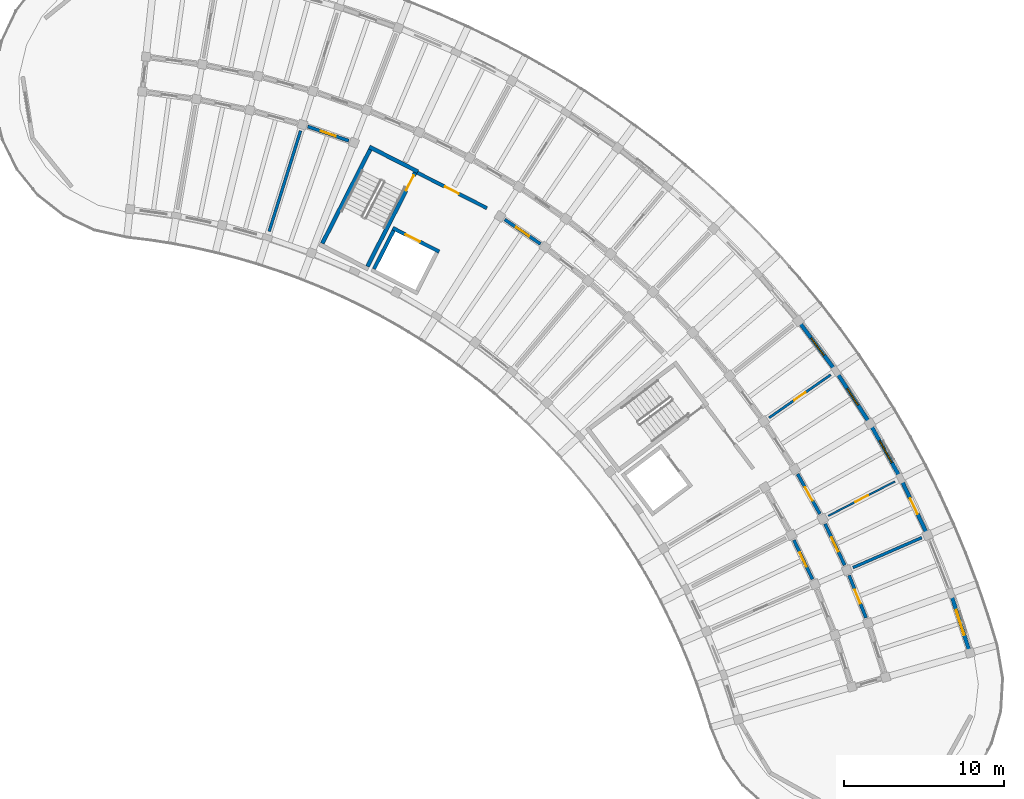
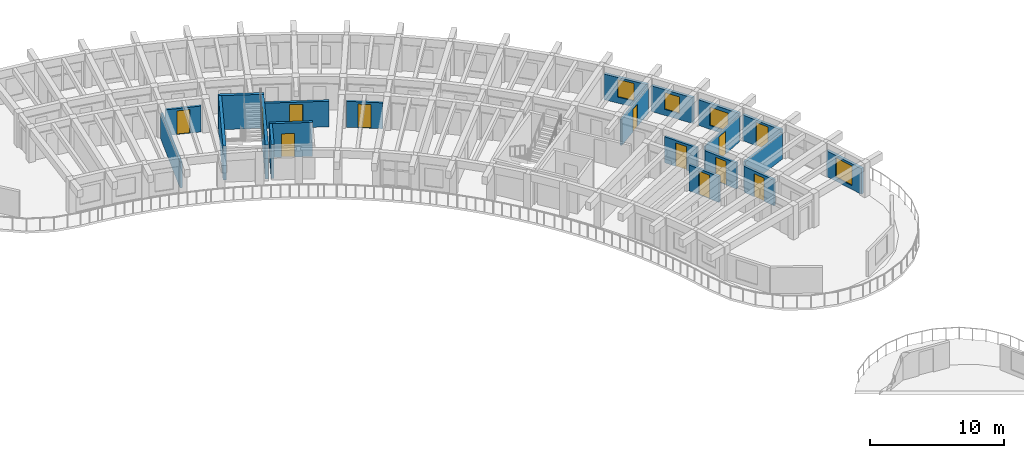
# One storey, part 57 of 81: 21 walls, 12 doors, 4 windows, 16 openings.
"""IFC4 building model written with IfcOpenShell, lengths in metres."""

from ifc_helpers import new_model, si_unit, direction, frame, frame_2d, origin, place, context, subcontext, project, spatial, rectangle, extrude, material, layer, layer_set, type_object, element, fill, save


model = new_model("IFC4")

# Units and contexts
model_context = context("Model", 3, precision=1e-05, world=origin(), true_north=direction((0.0, 1.0)))
body_context = subcontext(model_context, "Body", "Model", "MODEL_VIEW")
ifc_project = project(units=[si_unit("LENGTHUNIT", "METRE"), si_unit("AREAUNIT", "SQUARE_METRE"), si_unit("VOLUMEUNIT", "CUBIC_METRE"), si_unit("PLANEANGLEUNIT", "RADIAN"), si_unit("MASSUNIT", "GRAM", prefix="KILO")], contexts=[model_context])

# Site, building, storey
site_placement = place(None, origin())
site = spatial("IfcSite", under=ifc_project, at=site_placement, CompositionType="ELEMENT")
building_placement = place(site_placement, origin())
building = spatial("IfcBuilding", under=site, at=building_placement, Name="Tanwirah Colonnade Gardens", CompositionType="ELEMENT")
storey_placement = place(building_placement, frame((0.0, 0.0, 18.919921875)))
storey = spatial("IfcBuildingStorey", under=building, at=storey_placement, Name="L05", CompositionType="ELEMENT", Elevation=18.919921875)

# Wall, opening, window
ifc_material_1 = material(Name="Limestone architectural precast concrete C40/50", Category="masonry")
ifc_layer_1 = layer(ifc_material_1, 0.239990234375)
ifc_layer_set_1 = layer_set([ifc_layer_1], Name="Limestone architectural precast concrete C40/50")
wall_type_1 = type_object("IfcWallType", Name="EW-PC240", PredefinedType="SOLIDWALL", material=ifc_layer_set_1)
wall_1_placement = place(storey_placement, frame((178.16796875, 76.847412109375, 0.0), z_axis=(0.0, 0.0, 1.0), x_axis=(-0.30720538788, 0.951643236543, 0.0)))
wall_1 = element("IfcWall", 1, at=wall_1_placement, inside=storey, type_object=wall_type_1, Name="Block B L05 OUT Precast Facade Wall 0", PredefinedType="SOLIDWALL", context=body_context, shape_type="SweptSolid", body=[
    extrude(rectangle(XDim=3.5205078125, YDim=0.239990234375, at=frame_2d((1.76025390625, 0.0))), origin(), (0.0, 0.0, 1.0), 2.35498046875),
])
opening_1_placement = place(wall_1_placement, frame((0.935302734375, 0.0, 0.35009765625)))
opening_1 = element("IfcOpeningElement", 2, at=opening_1_placement, cuts=wall_1, Name="Opening WIN-T11", PredefinedType="OPENING", context=body_context, shape_type="SweptSolid", body=[
    extrude(rectangle(XDim=1.64990234375, YDim=1.800048828125, at=frame_2d((0.824951171875, 0.89990234375))), frame((0.0, 0.1298828125, 0.0), z_axis=(0.0, -1.0, 0.0), x_axis=(1.0, 0.0, 0.0)), (0.0, 0.0, 1.0), 0.260009765625),
])
ifc_material_2 = material(Name="Thermally broken bronze aluminium and solar low-E double glazing", Category="aluminium")
window_type_1 = type_object("IfcWindowType", Name="WIN-T11", PartitioningType="DOUBLE_PANEL_VERTICAL", PredefinedType="WINDOW", material=ifc_material_2)
window_1_placement = place(opening_1_placement, origin())
window_1 = element("IfcWindow", 3, at=window_1_placement, inside=storey, type_object=window_type_1, Name="Facade window B-L05-OUT-00", OverallHeight=1.800048828125, OverallWidth=1.64990234375, PartitioningType="SINGLE_PANEL", PredefinedType="WINDOW", context=body_context, shape_type="SweptSolid", body=[
    extrude(rectangle(XDim=1.64990234375, YDim=1.800048828125, at=frame_2d((0.824951171875, 0.89990234375))), frame((0.0, 0.030029296875, 0.0), z_axis=(0.0, -1.0, 0.0), x_axis=(1.0, 0.0, 0.0)), (0.0, 0.0, 1.0), 0.06005859375),
])
fill(opening_1, window_1)

# Wall, opening, door
wall_2_placement = place(storey_placement, frame((175.482666015625, 84.2197265625, 0.0), z_axis=(0.0, 0.0, 1.0), x_axis=(-0.429653621352, 0.902993779413, 0.0)))
wall_2 = element("IfcWall", 4, at=wall_2_placement, inside=storey, type_object=wall_type_1, Name="Block B L05 OUT Precast Facade Wall 2", PredefinedType="SOLIDWALL", context=body_context, shape_type="SweptSolid", body=[
    extrude(rectangle(XDim=3.520751953125, YDim=0.239990234375, at=frame_2d((1.76025390625, 0.0))), origin(), (0.0, 0.0, 1.0), 2.35498046875),
])
opening_2_placement = place(wall_2_placement, frame((1.220458984375, 0.0, 0.0)))
opening_2 = element("IfcOpeningElement", 5, at=opening_2_placement, cuts=wall_2, Name="Opening L05-ED089", PredefinedType="OPENING", context=body_context, shape_type="SweptSolid", body=[
    extrude(rectangle(XDim=1.080078125, YDim=2.14990234375, at=frame_2d((0.5400390625, 1.074951171875))), frame((0.0, 0.1298828125, 0.0), z_axis=(0.0, -1.0, 0.0), x_axis=(1.0, 0.0, 0.0)), (0.0, 0.0, 1.0), 0.260009765625),
])
ifc_material_3 = material(Name="Bronze aluminium glazed balcony door", Category="aluminium")
door_type_1 = type_object("IfcDoorType", Name="ED-BAL108", OperationType="NOTDEFINED", PredefinedType="DOOR", material=ifc_material_3)
door_1_placement = place(opening_2_placement, origin())
door_1 = element("IfcDoor", 6, at=door_1_placement, inside=storey, type_object=door_type_1, Name="Balcony glazed door L05-ED089", OperationType="SINGLE_SWING_RIGHT", OverallHeight=2.14990234375, OverallWidth=1.080078125, PredefinedType="DOOR", context=body_context, shape_type="SweptSolid", body=[
    extrude(rectangle(XDim=1.080078125, YDim=2.14990234375, at=frame_2d((0.5400390625, 1.074951171875))), frame((0.0, 0.02490234375, 0.0), z_axis=(0.0, -1.0, 0.0), x_axis=(1.0, 0.0, 0.0)), (0.0, 0.0, 1.0), 0.050048828125),
])
fill(opening_2, door_1)

# Wall, opening, window
wall_3_placement = place(storey_placement, frame((173.8232421875, 87.68310546875, 0.0), z_axis=(0.0, 0.0, 1.0), x_axis=(-0.488254917997, 0.872701057093, 0.0)))
wall_3 = element("IfcWall", 7, at=wall_3_placement, inside=storey, type_object=wall_type_1, Name="Block B L05 OUT Precast Facade Wall 3", PredefinedType="SOLIDWALL", context=body_context, shape_type="SweptSolid", body=[
    extrude(rectangle(XDim=3.520751953125, YDim=0.239990234375, at=frame_2d((1.76025390625, 0.0))), origin(), (0.0, 0.0, 1.0), 2.35498046875),
])
opening_3_placement = place(wall_3_placement, frame((0.970458984375, 0.0, 0.35009765625)))
opening_3 = element("IfcOpeningElement", 8, at=opening_3_placement, cuts=wall_3, Name="Opening WIN-T20", PredefinedType="OPENING", context=body_context, shape_type="SweptSolid", body=[
    extrude(rectangle(XDim=1.580078125, YDim=1.679931640625, at=frame_2d((0.7900390625, 0.83984375))), frame((0.0, 0.1298828125, 0.0), z_axis=(0.0, -1.0, 0.0), x_axis=(1.0, 0.0, 0.0)), (0.0, 0.0, 1.0), 0.260009765625),
])
window_type_2 = type_object("IfcWindowType", Name="WIN-T20", PartitioningType="DOUBLE_PANEL_VERTICAL", PredefinedType="WINDOW", material=ifc_material_2)
window_2_placement = place(opening_3_placement, origin())
window_2 = element("IfcWindow", 9, at=window_2_placement, inside=storey, type_object=window_type_2, Name="Facade window B-L05-OUT-03", OverallHeight=1.679931640625, OverallWidth=1.580078125, PartitioningType="SINGLE_PANEL", PredefinedType="WINDOW", context=body_context, shape_type="SweptSolid", body=[
    extrude(rectangle(XDim=1.580078125, YDim=1.679931640625, at=frame_2d((0.7900390625, 0.83984375))), frame((0.0, 0.030029296875, 0.0), z_axis=(0.0, -1.0, 0.0), x_axis=(1.0, 0.0, 0.0)), (0.0, 0.0, 1.0), 0.06005859375),
])
fill(opening_3, window_2)

wall_4_placement = place(storey_placement, frame((171.851318359375, 91.1748046875, 0.0), z_axis=(0.0, 0.0, 1.0), x_axis=(-0.544610510414, 0.838689091349, 0.0)))
wall_4 = element("IfcWall", 10, at=wall_4_placement, inside=storey, type_object=wall_type_1, Name="Block B L05 OUT Precast Facade Wall 4", PredefinedType="SOLIDWALL", context=body_context, shape_type="SweptSolid", body=[
    extrude(rectangle(XDim=3.520751953125, YDim=0.239990234375, at=frame_2d((1.76025390625, 0.0))), origin(), (0.0, 0.0, 1.0), 2.35498046875),
])
opening_4_placement = place(wall_4_placement, frame((1.140380859375, 0.0, 0.550048828125)))
opening_4 = element("IfcOpeningElement", 11, at=opening_4_placement, cuts=wall_4, Name="Opening WIN-U03", PredefinedType="OPENING", context=body_context, shape_type="SweptSolid", body=[
    extrude(rectangle(XDim=1.239990234375, YDim=1.534912109375, at=frame_2d((0.6201171875, 0.767578125))), frame((0.0, 0.1298828125, 0.0), z_axis=(0.0, -1.0, 0.0), x_axis=(1.0, 0.0, 0.0)), (0.0, 0.0, 1.0), 0.260009765625),
])
window_type_3 = type_object("IfcWindowType", Name="WIN-U03", PartitioningType="DOUBLE_PANEL_VERTICAL", PredefinedType="WINDOW", material=ifc_material_2)
window_3_placement = place(opening_4_placement, origin())
window_3 = element("IfcWindow", 12, at=window_3_placement, inside=storey, type_object=window_type_3, Name="Facade window B-L05-OUT-04", OverallHeight=1.534912109375, OverallWidth=1.239990234375, PartitioningType="SINGLE_PANEL", PredefinedType="WINDOW", context=body_context, shape_type="SweptSolid", body=[
    extrude(rectangle(XDim=1.239990234375, YDim=1.534912109375, at=frame_2d((0.6201171875, 0.767578125))), frame((0.0, 0.030029296875, 0.0), z_axis=(0.0, -1.0, 0.0), x_axis=(1.0, 0.0, 0.0)), (0.0, 0.0, 1.0), 0.06005859375),
])
fill(opening_4, window_3)

wall_5_placement = place(storey_placement, frame((169.7509765625, 94.389892578125, 0.0), z_axis=(0.0, 0.0, 1.0), x_axis=(-0.598701122926, 0.800972512267, 0.0)))
wall_5 = element("IfcWall", 13, at=wall_5_placement, inside=storey, type_object=wall_type_1, Name="Block B L05 OUT Precast Facade Wall 5", PredefinedType="SOLIDWALL", context=body_context, shape_type="SweptSolid", body=[
    extrude(rectangle(XDim=3.520751953125, YDim=0.239990234375, at=frame_2d((1.76025390625, 0.0))), origin(), (0.0, 0.0, 1.0), 2.35498046875),
])
opening_5_placement = place(wall_5_placement, frame((1.080322265625, 0.0, 0.550048828125)))
opening_5 = element("IfcOpeningElement", 14, at=opening_5_placement, cuts=wall_5, Name="Opening WIN-U06", PredefinedType="OPENING", context=body_context, shape_type="SweptSolid", body=[
    extrude(rectangle(XDim=1.360107421875, YDim=1.610107421875, at=frame_2d((0.68017578125, 0.80517578125))), frame((0.0, 0.1298828125, 0.0), z_axis=(0.0, -1.0, 0.0), x_axis=(1.0, 0.0, 0.0)), (0.0, 0.0, 1.0), 0.260009765625),
])
window_type_4 = type_object("IfcWindowType", Name="WIN-U06", PartitioningType="DOUBLE_PANEL_VERTICAL", PredefinedType="WINDOW", material=ifc_material_2)
window_4_placement = place(opening_5_placement, origin())
window_4 = element("IfcWindow", 15, at=window_4_placement, inside=storey, type_object=window_type_4, Name="Facade window B-L05-OUT-05", OverallHeight=1.610107421875, OverallWidth=1.360107421875, PartitioningType="SINGLE_PANEL", PredefinedType="WINDOW", context=body_context, shape_type="SweptSolid", body=[
    extrude(rectangle(XDim=1.360107421875, YDim=1.610107421875, at=frame_2d((0.68017578125, 0.80517578125))), frame((0.0, 0.030029296875, 0.0), z_axis=(0.0, -1.0, 0.0), x_axis=(1.0, 0.0, 0.0)), (0.0, 0.0, 1.0), 0.06005859375),
])
fill(opening_5, window_4)

# Wall, opening, door
ifc_material_4 = material(Name="Precast concrete C40/50", Category="concrete")
ifc_layer_2 = layer(ifc_material_4, 0.205078125)
ifc_layer_set_2 = layer_set([ifc_layer_2], Name="Precast concrete C40/50")
wall_type_2 = type_object("IfcWallType", Name="IW-CORR205", PredefinedType="PARTITIONING", material=ifc_layer_set_2)
wall_6_placement = place(storey_placement, frame((171.732421875, 78.814208984375, 0.0), z_axis=(0.0, 0.0, 1.0), x_axis=(-0.369213832442, 0.929344471083, 0.0)))
wall_6 = element("IfcWall", 16, at=wall_6_placement, inside=storey, type_object=wall_type_2, Name="Block B L05 OUT Corridor Wall 1", PredefinedType="PARTITIONING", context=body_context, shape_type="SweptSolid", body=[
    extrude(rectangle(XDim=2.86328125, YDim=0.205078125, at=frame_2d((1.431640625, 0.0))), origin(), (0.0, 0.0, 1.0), 2.3701171875),
])
opening_6_placement = place(wall_6_placement, frame((0.966552734375, 0.0, 0.0)))
opening_6 = element("IfcOpeningElement", 17, at=opening_6_placement, cuts=wall_6, Name="Opening L05-AD1004", PredefinedType="OPENING", context=body_context, shape_type="SweptSolid", body=[
    extrude(rectangle(XDim=0.929931640625, YDim=2.1201171875, at=frame_2d((0.46484375, 1.06005859375))), frame((0.0, 0.112548828125, 0.0), z_axis=(0.0, -1.0, 0.0), x_axis=(1.0, 0.0, 0.0)), (0.0, 0.0, 1.0), 0.22509765625),
])
ifc_material_5 = material(Name="Solid oak fire-resisting apartment entrance door")
door_type_2 = type_object("IfcDoorType", Name="ID-FLT093", OperationType="NOTDEFINED", PredefinedType="DOOR", material=ifc_material_5)
door_2_placement = place(opening_6_placement, origin())
door_2 = element("IfcDoor", 18, at=door_2_placement, inside=storey, type_object=door_type_2, Name="Apartment corridor door L05-AD1004", OperationType="SINGLE_SWING_LEFT", OverallHeight=2.1201171875, OverallWidth=0.929931640625, PredefinedType="DOOR", context=body_context, shape_type="SweptSolid", body=[
    extrude(rectangle(XDim=0.929931640625, YDim=2.1201171875, at=frame_2d((0.46484375, 1.06005859375))), frame((0.0, 0.02490234375, 0.0), z_axis=(0.0, -1.0, 0.0), x_axis=(1.0, 0.0, 0.0)), (0.0, 0.0, 1.0), 0.050048828125),
])
fill(opening_6, door_2)

wall_7_placement = place(storey_placement, frame((170.395751953125, 82.116455078125, 0.0), z_axis=(0.0, 0.0, 1.0), x_axis=(-0.429595933416, 0.90302122566, 0.0)))
wall_7 = element("IfcWall", 19, at=wall_7_placement, inside=storey, type_object=wall_type_2, Name="Block B L05 OUT Corridor Wall 2", PredefinedType="PARTITIONING", context=body_context, shape_type="SweptSolid", body=[
    extrude(rectangle(XDim=2.863037109375, YDim=0.205078125, at=frame_2d((1.431640625, 0.0))), origin(), (0.0, 0.0, 1.0), 2.3701171875),
])
opening_7_placement = place(wall_7_placement, frame((0.9365234375, 0.0, 0.0)))
opening_7 = element("IfcOpeningElement", 20, at=opening_7_placement, cuts=wall_7, Name="Opening L05-AD1007", PredefinedType="OPENING", context=body_context, shape_type="SweptSolid", body=[
    extrude(rectangle(XDim=0.989990234375, YDim=2.159912109375, at=frame_2d((0.4951171875, 1.080078125))), frame((0.0, 0.112548828125, 0.0), z_axis=(0.0, -1.0, 0.0), x_axis=(1.0, 0.0, 0.0)), (0.0, 0.0, 1.0), 0.22509765625),
])
door_type_3 = type_object("IfcDoorType", Name="ID-FLT099", OperationType="NOTDEFINED", PredefinedType="DOOR", material=ifc_material_5)
door_3_placement = place(opening_7_placement, origin())
door_3 = element("IfcDoor", 21, at=door_3_placement, inside=storey, type_object=door_type_3, Name="Apartment corridor door L05-AD1007", OperationType="SINGLE_SWING_RIGHT", OverallHeight=2.159912109375, OverallWidth=0.989990234375, PredefinedType="DOOR", context=body_context, shape_type="SweptSolid", body=[
    extrude(rectangle(XDim=0.989990234375, YDim=2.159912109375, at=frame_2d((0.4951171875, 1.080078125))), frame((0.0, 0.02490234375, 0.0), z_axis=(0.0, -1.0, 0.0), x_axis=(1.0, 0.0, 0.0)), (0.0, 0.0, 1.0), 0.050048828125),
])
fill(opening_7, door_3)

wall_8_placement = place(storey_placement, frame((168.379150390625, 81.2373046875, 0.0), z_axis=(0.0, 0.0, 1.0), x_axis=(-0.429630211913, 0.90300491749, 0.0)))
wall_8 = element("IfcWall", 22, at=wall_8_placement, inside=storey, type_object=wall_type_2, Name="Block B L05 IN Corridor Wall 2", PredefinedType="PARTITIONING", context=body_context, shape_type="SweptSolid", body=[
    extrude(rectangle(XDim=2.718017578125, YDim=0.205078125, at=frame_2d((1.35888671875, 0.0))), origin(), (0.0, 0.0, 1.0), 2.3701171875),
])
opening_8_placement = place(wall_8_placement, frame((0.864013671875, 0.0, 0.0)))
opening_8 = element("IfcOpeningElement", 23, at=opening_8_placement, cuts=wall_8, Name="Opening L05-AD1008", PredefinedType="OPENING", context=body_context, shape_type="SweptSolid", body=[
    extrude(rectangle(XDim=0.989990234375, YDim=2.159912109375, at=frame_2d((0.4951171875, 1.080078125))), frame((0.0, 0.112548828125, 0.0), z_axis=(0.0, -1.0, 0.0), x_axis=(1.0, 0.0, 0.0)), (0.0, 0.0, 1.0), 0.22509765625),
])
door_4_placement = place(opening_8_placement, origin())
door_4 = element("IfcDoor", 24, at=door_4_placement, inside=storey, type_object=door_type_3, Name="Apartment corridor door L05-AD1008", OperationType="SINGLE_SWING_LEFT", OverallHeight=2.159912109375, OverallWidth=0.989990234375, PredefinedType="DOOR", context=body_context, shape_type="SweptSolid", body=[
    extrude(rectangle(XDim=0.989990234375, YDim=2.159912109375, at=frame_2d((0.4951171875, 1.080078125))), frame((0.0, 0.02490234375, 0.0), z_axis=(0.0, -1.0, 0.0), x_axis=(1.0, 0.0, 0.0)), (0.0, 0.0, 1.0), 0.050048828125),
])
fill(opening_8, door_4)

wall_9_placement = place(storey_placement, frame((168.844482421875, 85.323486328125, 0.0), z_axis=(0.0, 0.0, 1.0), x_axis=(-0.48817487918, 0.872745832037, 0.0)))
wall_9 = element("IfcWall", 25, at=wall_9_placement, inside=storey, type_object=wall_type_2, Name="Block B L05 OUT Corridor Wall 3", PredefinedType="PARTITIONING", context=body_context, shape_type="SweptSolid", body=[
    extrude(rectangle(XDim=2.863037109375, YDim=0.205078125, at=frame_2d((1.431640625, 0.0))), origin(), (0.0, 0.0, 1.0), 2.3701171875),
])
opening_9_placement = place(wall_9_placement, frame((0.946533203125, 0.0, 0.0)))
opening_9 = element("IfcOpeningElement", 26, at=opening_9_placement, cuts=wall_9, Name="Opening L05-AD1010", PredefinedType="OPENING", context=body_context, shape_type="SweptSolid", body=[
    extrude(rectangle(XDim=0.969970703125, YDim=2.14990234375, at=frame_2d((0.48486328125, 1.074951171875))), frame((0.0, 0.112548828125, 0.0), z_axis=(0.0, -1.0, 0.0), x_axis=(1.0, 0.0, 0.0)), (0.0, 0.0, 1.0), 0.22509765625),
])
door_type_4 = type_object("IfcDoorType", Name="ID-FLT097", OperationType="NOTDEFINED", PredefinedType="DOOR", material=ifc_material_5)
door_5_placement = place(opening_9_placement, origin())
door_5 = element("IfcDoor", 27, at=door_5_placement, inside=storey, type_object=door_type_4, Name="Apartment corridor door L05-AD1010", OperationType="SINGLE_SWING_LEFT", OverallHeight=2.14990234375, OverallWidth=0.969970703125, PredefinedType="DOOR", context=body_context, shape_type="SweptSolid", body=[
    extrude(rectangle(XDim=0.969970703125, YDim=2.14990234375, at=frame_2d((0.48486328125, 1.074951171875))), frame((0.0, 0.02490234375, 0.0), z_axis=(0.0, -1.0, 0.0), x_axis=(1.0, 0.0, 0.0)), (0.0, 0.0, 1.0), 0.050048828125),
])
fill(opening_9, door_5)

wall_10_placement = place(storey_placement, frame((151.35009765625, 102.226318359375, 0.0), z_axis=(0.0, 0.0, 1.0), x_axis=(-0.825752009056, 0.56403334967, 0.0)))
wall_10 = element("IfcWall", 28, at=wall_10_placement, inside=storey, type_object=wall_type_2, Name="Block B L05 IN Corridor Wall 10", PredefinedType="PARTITIONING", context=body_context, shape_type="SweptSolid", body=[
    extrude(rectangle(XDim=2.71826171875, YDim=0.205078125, at=frame_2d((1.359130859375, 0.0))), origin(), (0.0, 0.0, 1.0), 2.3701171875),
])
opening_10_placement = place(wall_10_placement, frame((0.864013671875, 0.0, 0.0)))
opening_10 = element("IfcOpeningElement", 29, at=opening_10_placement, cuts=wall_10, Name="Opening L05-AD1026", PredefinedType="OPENING", context=body_context, shape_type="SweptSolid", body=[
    extrude(rectangle(XDim=0.989990234375, YDim=2.159912109375, at=frame_2d((0.4951171875, 1.080078125))), frame((0.0, 0.112548828125, 0.0), z_axis=(0.0, -1.0, 0.0), x_axis=(1.0, 0.0, 0.0)), (0.0, 0.0, 1.0), 0.22509765625),
])
door_6_placement = place(opening_10_placement, origin())
door_6 = element("IfcDoor", 30, at=door_6_placement, inside=storey, type_object=door_type_3, Name="Apartment corridor door L05-AD1026", OperationType="SINGLE_SWING_LEFT", OverallHeight=2.159912109375, OverallWidth=0.989990234375, PredefinedType="DOOR", context=body_context, shape_type="SweptSolid", body=[
    extrude(rectangle(XDim=0.989990234375, YDim=2.159912109375, at=frame_2d((0.4951171875, 1.080078125))), frame((0.0, 0.02490234375, 0.0), z_axis=(0.0, -1.0, 0.0), x_axis=(1.0, 0.0, 0.0)), (0.0, 0.0, 1.0), 0.050048828125),
])
fill(opening_10, door_6)

wall_11_placement = place(storey_placement, frame((139.3447265625, 108.685302734375, 0.0), z_axis=(0.0, 0.0, 1.0), x_axis=(-0.944265123647, 0.329185929627, 0.0)))
wall_11 = element("IfcWall", 31, at=wall_11_placement, inside=storey, type_object=wall_type_2, Name="Block B L05 IN Corridor Wall 14", PredefinedType="PARTITIONING", context=body_context, shape_type="SweptSolid", body=[
    extrude(rectangle(XDim=2.71826171875, YDim=0.205078125, at=frame_2d((1.359130859375, 0.0))), origin(), (0.0, 0.0, 1.0), 2.3701171875),
])
opening_11_placement = place(wall_11_placement, frame((0.864013671875, 0.0, 0.0)))
opening_11 = element("IfcOpeningElement", 32, at=opening_11_placement, cuts=wall_11, Name="Opening L05-AD1032", PredefinedType="OPENING", context=body_context, shape_type="SweptSolid", body=[
    extrude(rectangle(XDim=0.989990234375, YDim=2.159912109375, at=frame_2d((0.4951171875, 1.080078125))), frame((0.0, 0.112548828125, 0.0), z_axis=(0.0, -1.0, 0.0), x_axis=(1.0, 0.0, 0.0)), (0.0, 0.0, 1.0), 0.22509765625),
])
door_7_placement = place(opening_11_placement, origin())
door_7 = element("IfcDoor", 33, at=door_7_placement, inside=storey, type_object=door_type_3, Name="Apartment corridor door L05-AD1032", OperationType="SINGLE_SWING_LEFT", OverallHeight=2.159912109375, OverallWidth=0.989990234375, PredefinedType="DOOR", context=body_context, shape_type="SweptSolid", body=[
    extrude(rectangle(XDim=0.989990234375, YDim=2.159912109375, at=frame_2d((0.4951171875, 1.080078125))), frame((0.0, 0.02490234375, 0.0), z_axis=(0.0, -1.0, 0.0), x_axis=(1.0, 0.0, 0.0)), (0.0, 0.0, 1.0), 0.050048828125),
])
fill(opening_11, door_7)

# Walls
ifc_layer_3 = layer(ifc_material_4, 0.18505859375)
ifc_layer_set_3 = layer_set([ifc_layer_3], Name="Precast concrete C40/50")
wall_type_3 = type_object("IfcWallType", Name="IW-DEM185", PredefinedType="PARTITIONING", material=ifc_layer_set_3)
wall_12_placement = place(storey_placement, frame((170.912841796875, 81.960205078125, 0.0), z_axis=(0.0, 0.0, 1.0), x_axis=(0.916663273961, 0.39966040856, 0.0)))
element("IfcWall", 34, at=wall_12_placement, inside=storey, type_object=wall_type_3, Name="Block B L05 Radial Partition 1", PredefinedType="PARTITIONING", context=body_context, shape_type="SweptSolid", body=[
    extrude(rectangle(XDim=4.699951171875, YDim=0.18505859375, at=frame_2d((2.35009765625, 0.0))), origin(), (0.0, 0.0, 1.0), 2.3701171875),
])
wall_13_placement = place(storey_placement, frame((134.362060546875, 103.01318359375, 0.0), z_axis=(0.0, 0.0, 1.0), x_axis=(0.2979590431, 0.954578655028, 0.0)))
element("IfcWall", 35, at=wall_13_placement, inside=storey, type_object=wall_type_3, Name="Block B L05 Inner Radial Partition 14", PredefinedType="PARTITIONING", context=body_context, shape_type="SweptSolid", body=[
    extrude(rectangle(XDim=6.60009765625, YDim=0.18505859375, at=frame_2d((3.300048828125, 0.0))), origin(), (0.0, 0.0, 1.0), 2.3701171875),
])

# Wall, opening, door
ifc_material_6 = material(Name="Autoclaved aerated masonry blockwork", Category="masonry")
ifc_layer_4 = layer(ifc_material_6, 0.219970703125)
ifc_layer_set_4 = layer_set([ifc_layer_4], Name="Autoclaved aerated masonry blockwork")
wall_type_4 = type_object("IfcWallType", Name="IW-FFL220", PredefinedType="PARTITIONING", material=ifc_layer_set_4)
wall_14_placement = place(storey_placement, frame((143.624755859375, 106.6962890625, 0.0), z_axis=(0.0, 0.0, 1.0), x_axis=(0.891003372311, -0.453996685595, 0.0)))
wall_14 = element("IfcWall", 36, at=wall_14_placement, inside=storey, type_object=wall_type_4, Name="CORE-B2 L05 Enclosed Lobby Fire Wall", PredefinedType="PARTITIONING", context=body_context, shape_type="SweptSolid", body=[
    extrude(rectangle(XDim=4.900146484375, YDim=0.219970703125, at=frame_2d((2.4501953125, 0.0))), origin(), (0.0, 0.0, 1.0), 2.340087890625),
])
opening_12_placement = place(wall_14_placement, frame((1.949951171875, 0.0, 0.0)))
opening_12 = element("IfcOpeningElement", 37, at=opening_12_placement, cuts=wall_14, Name="Opening L05-LD113", PredefinedType="OPENING", context=body_context, shape_type="SweptSolid", body=[
    extrude(rectangle(XDim=0.97998046875, YDim=2.139892578125, at=frame_2d((0.489990234375, 1.06982421875))), frame((0.0, 0.119873046875, 0.0), z_axis=(0.0, -1.0, 0.0), x_axis=(1.0, 0.0, 0.0)), (0.0, 0.0, 1.0), 0.239990234375),
])
ifc_material_7 = material(Name="Acoustic fire-resisting lobby door")
door_type_5 = type_object("IfcDoorType", Name="ID-FFL098", OperationType="NOTDEFINED", PredefinedType="DOOR", material=ifc_material_7)
door_8_placement = place(opening_12_placement, origin())
door_8 = element("IfcDoor", 38, at=door_8_placement, inside=storey, type_object=door_type_5, Name="CORE-B2 L05 Lobby Fire Door L05-LD113", OperationType="SINGLE_SWING_RIGHT", OverallHeight=2.139892578125, OverallWidth=0.97998046875, PredefinedType="DOOR", context=body_context, shape_type="SweptSolid", body=[
    extrude(rectangle(XDim=0.97998046875, YDim=2.139892578125, at=frame_2d((0.489990234375, 1.06982421875))), frame((0.0, 0.02490234375, 0.0), z_axis=(0.0, -1.0, 0.0), x_axis=(1.0, 0.0, 0.0)), (0.0, 0.0, 1.0), 0.050048828125),
])
fill(opening_12, door_8)

ifc_material_8 = material(Name="Acoustic gypsum stud partition")
ifc_layer_5 = layer(ifc_material_8, 0.114990234375)
ifc_layer_set_5 = layer_set([ifc_layer_5], Name="Acoustic gypsum stud partition")
wall_type_5 = type_object("IfcWallType", Name="IW-INT115", PredefinedType="PARTITIONING", material=ifc_layer_set_5)
wall_15_placement = place(storey_placement, frame((169.37060546875, 85.20166015625, 0.0), z_axis=(0.0, 0.0, 1.0), x_axis=(0.88836305433, 0.459141681512, 0.0)))
wall_15 = element("IfcWall", 39, at=wall_15_placement, inside=storey, type_object=wall_type_5, Name="Block B L05 Radial Partition 2", PredefinedType="PARTITIONING", context=body_context, shape_type="SweptSolid", body=[
    extrude(rectangle(XDim=4.699951171875, YDim=0.114990234375, at=frame_2d((2.35009765625, 0.0))), origin(), (0.0, 0.0, 1.0), 2.3701171875),
])
opening_13_placement = place(wall_15_placement, frame((1.905029296875, 0.0, 0.0)))
opening_13 = element("IfcOpeningElement", 40, at=opening_13_placement, cuts=wall_15, Name="Opening L05-RD1009", PredefinedType="OPENING", context=body_context, shape_type="SweptSolid", body=[
    extrude(rectangle(XDim=0.889892578125, YDim=2.10009765625, at=frame_2d((0.44482421875, 1.050048828125))), frame((0.0, 0.0673828125, 0.0), z_axis=(0.0, -1.0, 0.0), x_axis=(1.0, 0.0, 0.0)), (0.0, 0.0, 1.0), 0.135009765625),
])
ifc_material_9 = material(Name="Painted hardwood bedroom door", Category="wood")
door_type_6 = type_object("IfcDoorType", Name="ID-RM089", OperationType="NOTDEFINED", PredefinedType="DOOR", material=ifc_material_9)
door_9_placement = place(opening_13_placement, origin())
door_9 = element("IfcDoor", 41, at=door_9_placement, inside=storey, type_object=door_type_6, Name="Internal apartment door L05-RD1009", OperationType="SINGLE_SWING_RIGHT", OverallHeight=2.10009765625, OverallWidth=0.889892578125, PredefinedType="DOOR", context=body_context, shape_type="SweptSolid", body=[
    extrude(rectangle(XDim=0.889892578125, YDim=2.10009765625, at=frame_2d((0.44482421875, 1.050048828125))), frame((0.0, 0.02490234375, 0.0), z_axis=(0.0, -1.0, 0.0), x_axis=(1.0, 0.0, 0.0)), (0.0, 0.0, 1.0), 0.050048828125),
])
fill(opening_13, door_9)

ifc_material_10 = material(Name="Water-resistant acoustic plumbing partition")
ifc_layer_6 = layer(ifc_material_10, 0.14990234375)
ifc_layer_set_6 = layer_set([ifc_layer_6], Name="Water-resistant acoustic plumbing partition")
wall_type_6 = type_object("IfcWallType", Name="IW-WET150", PredefinedType="PLUMBINGWALL", material=ifc_layer_set_6)
wall_16_placement = place(storey_placement, frame((165.663330078125, 91.3447265625, 0.0), z_axis=(0.0, 0.0, 1.0), x_axis=(0.820272617205, 0.571972755876, 0.0)))
wall_16 = element("IfcWall", 42, at=wall_16_placement, inside=storey, type_object=wall_type_6, Name="Block B L05 Radial Partition 4", PredefinedType="PLUMBINGWALL", context=body_context, shape_type="SweptSolid", body=[
    extrude(rectangle(XDim=4.699951171875, YDim=0.14990234375, at=frame_2d((2.35009765625, 0.0))), origin(), (0.0, 0.0, 1.0), 2.3701171875),
])
opening_14_placement = place(wall_16_placement, frame((1.919921875, 0.0, 0.0)))
opening_14 = element("IfcOpeningElement", 43, at=opening_14_placement, cuts=wall_16, Name="Opening L05-RD1014", PredefinedType="OPENING", context=body_context, shape_type="SweptSolid", body=[
    extrude(rectangle(XDim=0.860107421875, YDim=2.06005859375, at=frame_2d((0.43017578125, 1.030029296875))), frame((0.0, 0.0849609375, 0.0), z_axis=(0.0, -1.0, 0.0), x_axis=(1.0, 0.0, 0.0)), (0.0, 0.0, 1.0), 0.169921875),
])
ifc_material_11 = material(Name="Moisture-resistant bathroom door")
door_type_7 = type_object("IfcDoorType", Name="ID-WET086", OperationType="NOTDEFINED", PredefinedType="DOOR", material=ifc_material_11)
door_10_placement = place(opening_14_placement, origin())
door_10 = element("IfcDoor", 44, at=door_10_placement, inside=storey, type_object=door_type_7, Name="Internal apartment door L05-RD1014", OperationType="SINGLE_SWING_RIGHT", OverallHeight=2.06005859375, OverallWidth=0.860107421875, PredefinedType="DOOR", context=body_context, shape_type="SweptSolid", body=[
    extrude(rectangle(XDim=0.860107421875, YDim=2.06005859375, at=frame_2d((0.43017578125, 1.030029296875))), frame((0.0, 0.02490234375, 0.0), z_axis=(0.0, -1.0, 0.0), x_axis=(1.0, 0.0, 0.0)), (0.0, 0.0, 1.0), 0.050048828125),
])
fill(opening_14, door_10)

# Walls
ifc_material_12 = material(Name="Concrete C45/55", Category="concrete")
ifc_layer_7 = layer(ifc_material_12, 0.25)
ifc_layer_set_7 = layer_set([ifc_layer_7], Name="Concrete C45/55")
wall_type_7 = type_object("IfcWallType", Name="SW-CORE250", PredefinedType="SHEAR", material=ifc_layer_set_7)
wall_17_placement = place(storey_placement, frame((140.68408203125, 108.138671875, 0.0), z_axis=(0.0, 0.0, 1.0), x_axis=(-0.453992276384, -0.891005618941, 0.0)))
element("IfcWall", 45, at=wall_17_placement, inside=storey, type_object=wall_type_7, Name="CORE-B2 L05 Stair Shaft Shear Wall LEFT", PredefinedType="SHEAR", context=body_context, shape_type="SweptSolid", body=[
    extrude(rectangle(XDim=6.599853515625, YDim=0.25, at=frame_2d((3.2998046875, 0.0))), origin(), (0.0, 0.0, 1.0), 3.110107421875),
])
wall_18_placement = place(storey_placement, frame((140.62939453125, 108.306640625, 0.0), z_axis=(0.0, 0.0, 1.0), x_axis=(0.891032414707, -0.453939683153, 0.0)))
element("IfcWall", 46, at=wall_18_placement, inside=storey, type_object=wall_type_7, Name="CORE-B2 L05 Stair Shaft Shear Wall NEAR", PredefinedType="SHEAR", context=body_context, shape_type="SweptSolid", body=[
    extrude(rectangle(XDim=3.419921875, YDim=0.25, at=frame_2d((1.7099609375, 0.0))), origin(), (0.0, 0.0, 1.0), 3.110107421875),
])

# Wall, opening, door
wall_19_placement = place(storey_placement, frame((143.508544921875, 106.699462890625, 0.0), z_axis=(0.0, 0.0, 1.0), x_axis=(-0.453992276384, -0.891005618941, 0.0)))
wall_19 = element("IfcWall", 47, at=wall_19_placement, inside=storey, type_object=wall_type_7, Name="CORE-B2 L05 Stair Shaft Shear Wall RIGHT", PredefinedType="SHEAR", context=body_context, shape_type="SweptSolid", body=[
    extrude(rectangle(XDim=6.599853515625, YDim=0.25, at=frame_2d((3.2998046875, 0.0))), origin(), (0.0, 0.0, 1.0), 3.110107421875),
])
opening_15_placement = place(wall_19_placement, frame((0.219970703125, 0.0, 0.0)))
opening_15 = element("IfcOpeningElement", 48, at=opening_15_placement, cuts=wall_19, Name="Opening L05-SD099", PredefinedType="OPENING", context=body_context, shape_type="SweptSolid", body=[
    extrude(rectangle(XDim=1.050048828125, YDim=2.14990234375, at=frame_2d((0.52490234375, 1.074951171875))), frame((0.0, 0.135009765625, 0.0), z_axis=(0.0, -1.0, 0.0), x_axis=(1.0, 0.0, 0.0)), (0.0, 0.0, 1.0), 0.27001953125),
])
ifc_material_13 = material(Name="Steel fire-resisting stair enclosure door", Category="steel")
door_type_8 = type_object("IfcDoorType", Name="ID-ST105", OperationType="NOTDEFINED", PredefinedType="DOOR", material=ifc_material_13)
door_11_placement = place(opening_15_placement, origin())
door_11 = element("IfcDoor", 49, at=door_11_placement, inside=storey, type_object=door_type_8, Name="CORE-B2 L05 Stair Fire Door L05-SD099", OperationType="SINGLE_SWING_RIGHT", OverallHeight=2.14990234375, OverallWidth=1.050048828125, PredefinedType="DOOR", context=body_context, shape_type="SweptSolid", body=[
    extrude(rectangle(XDim=1.050048828125, YDim=2.14990234375, at=frame_2d((0.52490234375, 1.074951171875))), frame((0.0, 0.02490234375, 0.0), z_axis=(0.0, -1.0, 0.0), x_axis=(1.0, 0.0, 0.0)), (0.0, 0.0, 1.0), 0.050048828125),
])
fill(opening_15, door_11)

ifc_layer_8 = layer(ifc_material_12, 0.22998046875)
ifc_layer_set_8 = layer_set([ifc_layer_8], Name="Concrete C45/55")
wall_type_8 = type_object("IfcWallType", Name="SW-LIFT230", PredefinedType="SHEAR", material=ifc_layer_set_8)
wall_20_placement = place(storey_placement, frame((142.1025390625, 103.223876953125, 0.0), z_axis=(0.0, 0.0, 1.0), x_axis=(0.891001200497, -0.454000947921, 0.0)))
wall_20 = element("IfcWall", 50, at=wall_20_placement, inside=storey, type_object=wall_type_8, Name="CORE-B2 L05 Lift Shaft Wall FRONT", PredefinedType="SHEAR", context=body_context, shape_type="SweptSolid", body=[
    extrude(rectangle(XDim=3.259765625, YDim=0.22998046875, at=frame_2d((1.6298828125, 0.0))), origin(), (0.0, 0.0, 1.0), 3.110107421875),
])
opening_16_placement = place(wall_20_placement, frame((0.89990234375, 0.0, 0.0)))
opening_16 = element("IfcOpeningElement", 51, at=opening_16_placement, cuts=wall_20, Name="Opening L05-LD-PL-B2", PredefinedType="OPENING", context=body_context, shape_type="SweptSolid", body=[
    extrude(rectangle(XDim=1.0, YDim=2.14990234375, at=frame_2d((0.5, 1.074951171875))), frame((0.0, 0.125, 0.0), z_axis=(0.0, -1.0, 0.0), x_axis=(1.0, 0.0, 0.0)), (0.0, 0.0, 1.0), 0.25),
])
ifc_material_14 = material(Name="Bronze stainless steel sliding lift landing door", Category="steel")
door_type_9 = type_object("IfcDoorType", Name="LD-PS10", OperationType="DOUBLE_DOOR_SLIDING", PredefinedType="DOOR", material=ifc_material_14)
door_12_placement = place(opening_16_placement, origin())
door_12 = element("IfcDoor", 52, at=door_12_placement, inside=storey, type_object=door_type_9, Name="Lift PL-B2 L05 Sliding Landing Door", OperationType="DOUBLE_DOOR_SLIDING", OverallHeight=2.14990234375, OverallWidth=1.0, PredefinedType="DOOR", context=body_context, shape_type="SweptSolid", body=[
    extrude(rectangle(XDim=1.0, YDim=2.14990234375, at=frame_2d((0.5, 1.074951171875))), frame((0.0, 0.02490234375, 0.0), z_axis=(0.0, -1.0, 0.0), x_axis=(1.0, 0.0, 0.0)), (0.0, 0.0, 1.0), 0.050048828125),
])
fill(opening_16, door_12)

# Wall
wall_21_placement = place(storey_placement, frame((142.15283203125, 103.0693359375, 0.0), z_axis=(0.0, 0.0, 1.0), x_axis=(-0.454000278178, -0.891001541758, 0.0)))
element("IfcWall", 53, at=wall_21_placement, inside=storey, type_object=wall_type_8, Name="CORE-B2 L05 Lift Shaft Wall SIDEA", PredefinedType="SHEAR", context=body_context, shape_type="SweptSolid", body=[
    extrude(rectangle(XDim=2.699951171875, YDim=0.22998046875, at=frame_2d((1.35009765625, 0.0))), origin(), (0.0, 0.0, 1.0), 3.110107421875),
])

save(model, "model.ifc")
